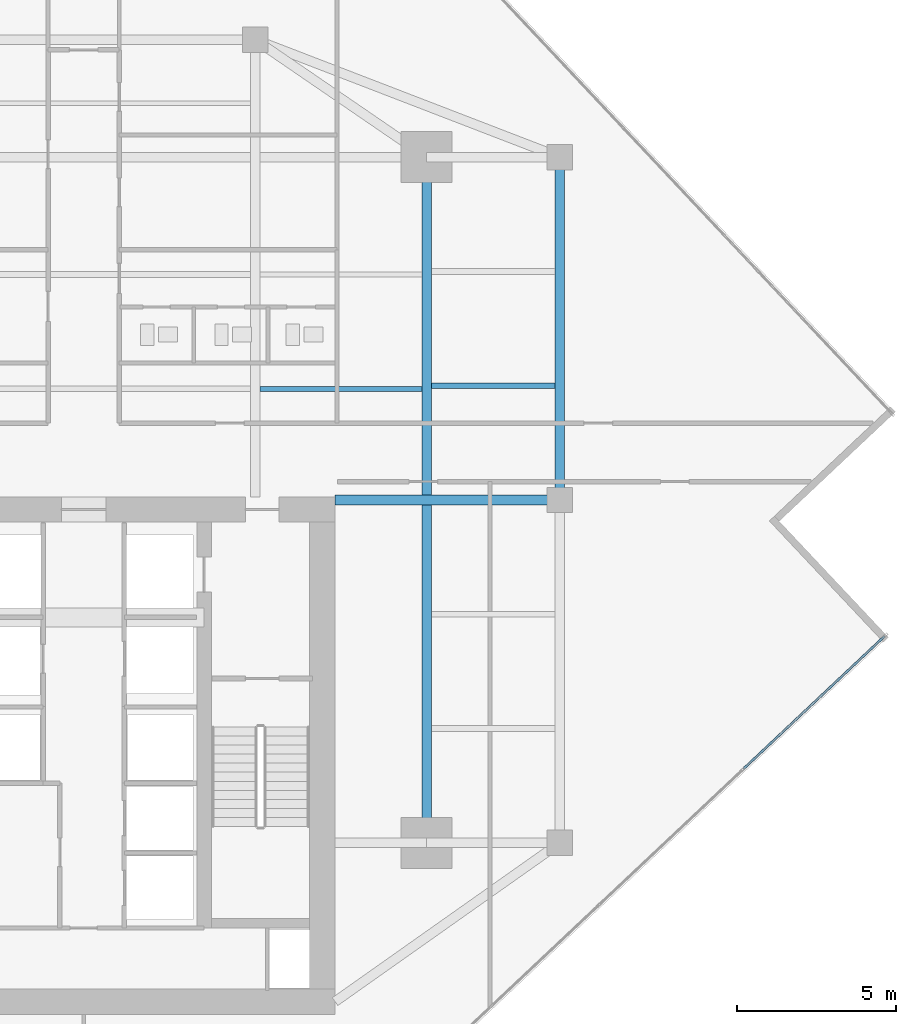
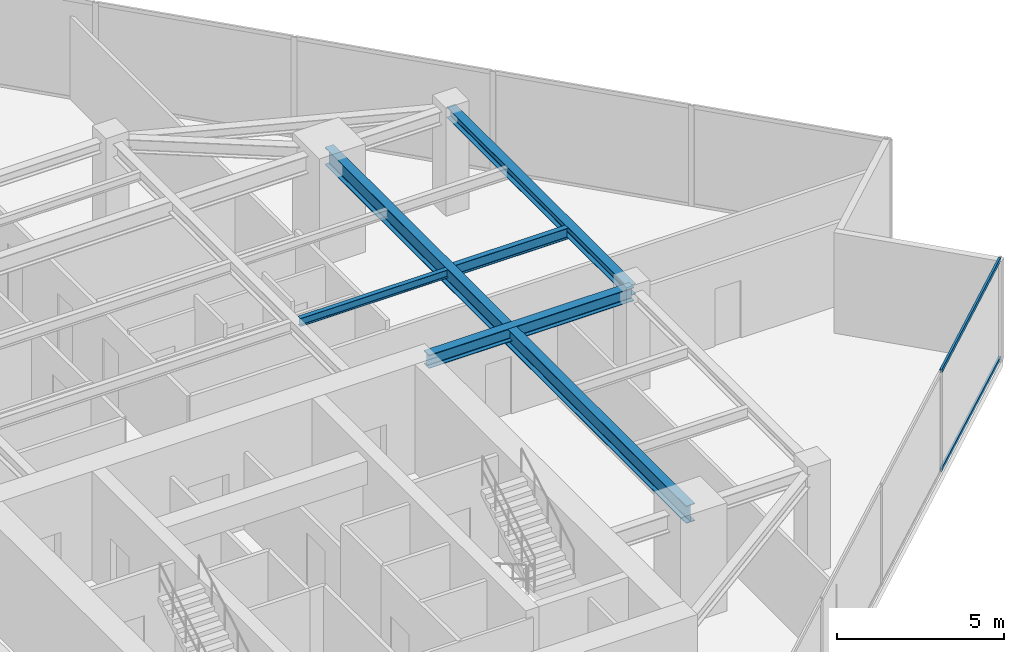
# One storey, part 11 of 24: 5 beams, 2 members, 1 element without a shape of its own.
"""IFC4 building model written with IfcOpenShell, lengths in metres."""

from ifc_helpers import new_model, si_unit, direction, frame, origin, origin_2d, place, context, subcontext, project, spatial, hollow_rectangle, i_section, extrude, source, transform, mapped, material, material_profile, profile_set, type_object, type_shapes, element, aggregate, save


model = new_model("IFC4")

# Units and contexts
model_context = context("Model", 3, precision=1e-05, world=origin(), true_north=direction((0.0, 1.0)))
body_context = subcontext(model_context, "Body", "Model", "MODEL_VIEW")
ifc_project = project(units=[si_unit("LENGTHUNIT", "METRE"), si_unit("AREAUNIT", "SQUARE_METRE"), si_unit("VOLUMEUNIT", "CUBIC_METRE"), si_unit("PLANEANGLEUNIT", "RADIAN"), si_unit("MASSUNIT", "GRAM", prefix="KILO")], contexts=[model_context])

# Site, building, storey
site_placement = place(None, origin())
site = spatial("IfcSite", under=ifc_project, at=site_placement, CompositionType="ELEMENT")
building_placement = place(site_placement, origin())
building = spatial("IfcBuilding", under=site, at=building_placement, Name="Krantzveldt Concourse Tower", CompositionType="ELEMENT")
storey_placement = place(building_placement, frame((0.0, 0.0, 242.85009765625)))
storey = spatial("IfcBuildingStorey", under=building, at=storey_placement, Name="L59", CompositionType="ELEMENT", Elevation=242.85009765625)

# Beams
ifc_material_1 = material(Name="Steel S355JR", Category="steel")
ifc_material_profile_1 = material_profile(ifc_material_1, i_section(OverallWidth=0.300048828125, OverallDepth=0.639892578125, WebThickness=0.013427734375, FlangeThickness=0.02587890625, FilletRadius=0.027099609375, at=origin_2d()), Name="Steel S355JR", Category="steel")
ifc_profile_set_1 = profile_set([ifc_material_profile_1], Name="Steel S355JR - HEA 650")
beam_type_1 = type_object("IfcBeamType", Name="BM-B-HEA650", PredefinedType="BEAM", material=ifc_profile_set_1)
shared_shape_1 = source(origin(), body_context, "Body", "SweptSolid", [
    extrude(i_section(OverallWidth=0.300048828125, OverallDepth=0.639892578125, WebThickness=0.013427734375, FlangeThickness=0.02587890625, FilletRadius=0.027099609375, at=origin_2d()), origin(), (0.0, 0.0, 1.0), 21.60009765625),
])
type_shapes(beam_type_1, [shared_shape_1])
beam_1_placement = place(storey_placement, frame((46.800048828125, 15.89990234375, 3.349853515625), z_axis=(0.0, 1.0, 0.0), x_axis=(-1.0, 0.0, 0.0)))
element("IfcBeam", 1, at=beam_1_placement, inside=storey, type_object=beam_type_1, Name="L59 Tower Girder BG-ME", PredefinedType="BEAM", context=body_context, shape_type="MappedRepresentation", body=[
    mapped(shared_shape_1, transform((0.0, 0.0, 0.0), x_axis=(1.0, 0.0, 0.0), y_axis=(0.0, 1.0, 0.0), z_axis=(0.0, 0.0, 1.0), scale=1.0)),
])
ifc_material_profile_2 = material_profile(ifc_material_1, i_section(OverallWidth=0.300048828125, OverallDepth=0.389892578125, WebThickness=0.010986328125, FlangeThickness=0.01904296875, FilletRadius=0.027099609375, at=origin_2d()), Name="Steel S355JR", Category="steel")
ifc_profile_set_2 = profile_set([ifc_material_profile_2], Name="Steel S355JR - HEA 400")
beam_type_2 = type_object("IfcBeamType", Name="BM-SP-HEA400", PredefinedType="SPANDREL", material=ifc_profile_set_2)
shared_shape_2 = source(origin(), body_context, "Body", "SweptSolid", [
    extrude(i_section(OverallWidth=0.300048828125, OverallDepth=0.389892578125, WebThickness=0.010986328125, FlangeThickness=0.01904296875, FilletRadius=0.027099609375, at=origin_2d()), origin(), (0.0, 0.0, 1.0), 10.800048828125),
])
type_shapes(beam_type_2, [shared_shape_2])
beam_2_placement = place(storey_placement, frame((51.0, 37.5, 3.474853515625), z_axis=(0.0, -1.0, 0.0), x_axis=(1.0, 0.0, 0.0)))
element("IfcBeam", 2, at=beam_2_placement, inside=storey, type_object=beam_type_2, Name="L59 Tower Girder SP-R06", PredefinedType="SPANDREL", context=body_context, shape_type="MappedRepresentation", body=[
    mapped(shared_shape_2, transform((0.0, 0.0, 0.0), x_axis=(1.0, 0.0, 0.0), y_axis=(0.0, 1.0, 0.0), z_axis=(0.0, 0.0, 1.0), scale=1.0)),
])
ifc_material_profile_3 = material_profile(ifc_material_1, i_section(OverallWidth=0.300048828125, OverallDepth=0.489990234375, WebThickness=0.011962890625, FlangeThickness=0.02294921875, FilletRadius=0.027099609375, at=origin_2d()), Name="Steel S355JR", Category="steel")
ifc_profile_set_3 = profile_set([ifc_material_profile_3], Name="Steel S355JR - HEA 500")
beam_type_3 = type_object("IfcBeamType", Name="BM-B-HEA500", PredefinedType="BEAM", material=ifc_profile_set_3)
shared_shape_3 = source(origin(), body_context, "Body", "SweptSolid", [
    extrude(i_section(OverallWidth=0.300048828125, OverallDepth=0.489990234375, WebThickness=0.011962890625, FlangeThickness=0.02294921875, FilletRadius=0.027099609375, at=origin_2d()), origin(), (0.0, 0.0, 1.0), 7.080078125),
])
type_shapes(beam_type_3, [shared_shape_3])
beam_3_placement = place(storey_placement, frame((43.919921875, 26.699951171875, 3.4248046875), z_axis=(1.0, 0.0, 0.0), x_axis=(0.0, 1.0, 0.0)))
element("IfcBeam", 3, at=beam_3_placement, inside=storey, type_object=beam_type_3, Name="L59 Tower Girder BG-CE2", PredefinedType="BEAM", context=body_context, shape_type="MappedRepresentation", body=[
    mapped(shared_shape_3, transform((0.0, 0.0, 0.0), x_axis=(1.0, 0.0, 0.0), y_axis=(0.0, 1.0, 0.0), z_axis=(0.0, 0.0, 1.0), scale=1.0)),
])
ifc_material_profile_4 = material_profile(ifc_material_1, i_section(OverallWidth=0.14990234375, OverallDepth=0.300048828125, WebThickness=0.007080078125, FlangeThickness=0.0107421875, FilletRadius=0.014892578125, at=origin_2d()), Name="Steel S355JR", Category="steel")
ifc_profile_set_4 = profile_set([ifc_material_profile_4], Name="Steel S355JR - IPE 300")
beam_type_4 = type_object("IfcBeamType", Name="BM-J-IPE300", PredefinedType="JOIST", material=ifc_profile_set_4)
shared_shape_4 = source(origin(), body_context, "Body", "SweptSolid", [
    extrude(i_section(OverallWidth=0.14990234375, OverallDepth=0.300048828125, WebThickness=0.007080078125, FlangeThickness=0.0107421875, FilletRadius=0.014892578125, at=origin_2d()), origin(), (0.0, 0.0, 1.0), 5.099853515625),
])
type_shapes(beam_type_4, [shared_shape_4])
beam_4_placement = place(storey_placement, frame((41.550048828125, 30.199951171875, 3.52001953125), z_axis=(1.0, 0.0, 0.0), x_axis=(0.0, 1.0, 0.0)))
element("IfcBeam", 4, at=beam_4_placement, inside=storey, type_object=beam_type_4, Name="L59 Secondary Floor Joist JN-E1", PredefinedType="JOIST", context=body_context, shape_type="MappedRepresentation", body=[
    mapped(shared_shape_4, transform((0.0, 0.0, 0.0), x_axis=(1.0, 0.0, 0.0), y_axis=(0.0, 1.0, 0.0), z_axis=(0.0, 0.0, 1.0), scale=1.0)),
])
ifc_material_profile_5 = material_profile(ifc_material_1, i_section(OverallWidth=0.179931640625, OverallDepth=0.39990234375, WebThickness=0.008544921875, FlangeThickness=0.013427734375, FilletRadius=0.02099609375, at=origin_2d()), Name="Steel S355JR", Category="steel")
ifc_profile_set_5 = profile_set([ifc_material_profile_5], Name="Steel S355JR - IPE 400")
beam_type_5 = type_object("IfcBeamType", Name="BM-J-IPE400", PredefinedType="JOIST", material=ifc_profile_set_5)
shared_shape_5 = source(origin(), body_context, "Body", "SweptSolid", [
    extrude(i_section(OverallWidth=0.179931640625, OverallDepth=0.39990234375, WebThickness=0.008544921875, FlangeThickness=0.013427734375, FilletRadius=0.02099609375, at=origin_2d()), origin(), (0.0, 0.0, 1.0), 3.900146484375),
])
type_shapes(beam_type_5, [shared_shape_5])
beam_5_placement = place(storey_placement, frame((46.949951171875, 30.300048828125, 3.469970703125), z_axis=(1.0, 0.0, 0.0), x_axis=(0.0, 1.0, 0.0)))
element("IfcBeam", 5, at=beam_5_placement, inside=storey, type_object=beam_type_5, Name="L59 Secondary Floor Joist JE-3", PredefinedType="JOIST", context=body_context, shape_type="MappedRepresentation", body=[
    mapped(shared_shape_5, transform((0.0, 0.0, 0.0), x_axis=(1.0, 0.0, 0.0), y_axis=(0.0, 1.0, 0.0), z_axis=(0.0, 0.0, 1.0), scale=1.0)),
])

# Curtain wall, members
ifc_material_2 = material(Name="Anodised aluminium 6063-T6", Category="aluminium")
curtain_wall_type = type_object("IfcCurtainWallType", Name="CW3", PredefinedType="USERDEFINED", material=ifc_material_2)
curtain_wall_placement = place(storey_placement, origin())
curtain_wall = element("IfcCurtainWall", 6, at=curtain_wall_placement, inside=storey, type_object=curtain_wall_type, Name="CW-L59-F11", ObjectType="UNITISED CURTAIN WALL", PredefinedType="USERDEFINED")
ifc_material_profile_6 = material_profile(ifc_material_2, hollow_rectangle(XDim=0.070068359375, YDim=0.139892578125, WallThickness=0.0048828125, at=origin_2d()), Name="Anodised aluminium 6063-T6", Category="aluminium")
ifc_profile_set_6 = profile_set([ifc_material_profile_6], Name="Anodised aluminium 6063-T6 - ALU-TRAN 140x70x5")
member_type = type_object("IfcMemberType", Name="CW-TRN-150", PredefinedType="USERDEFINED", material=ifc_profile_set_6)
shared_shape_6 = source(origin(), body_context, "Body", "SweptSolid", [
    extrude(hollow_rectangle(XDim=0.070068359375, YDim=0.139892578125, WallThickness=0.0048828125, at=origin_2d()), origin(), (0.0, 0.0, 1.0), 6.094970703125),
])
type_shapes(member_type, [shared_shape_6])
member_1_placement = place(storey_placement, frame((56.783935546875, 18.230224609375, 0.034912109375), z_axis=(0.728386944809, 0.685166008082, 0.0), x_axis=(-0.685166008082, 0.728386944809, 0.0)))
member_1 = element("IfcMember", 7, at=member_1_placement, type_object=member_type, Name="CW-Z34 transom 5.1", ObjectType="TRANSOM", PredefinedType="USERDEFINED", context=body_context, shape_type="MappedRepresentation", body=[
    mapped(shared_shape_6, transform((0.0, 0.0, 0.0), x_axis=(1.0, 0.0, 0.0), y_axis=(0.0, 1.0, 0.0), z_axis=(0.0, 0.0, 1.0), scale=1.0)),
])
member_2_placement = place(storey_placement, frame((56.783935546875, 18.230224609375, 3.635009765625), z_axis=(0.728386944809, 0.685166008082, 0.0), x_axis=(-0.685166008082, 0.728386944809, 0.0)))
member_2 = element("IfcMember", 8, at=member_2_placement, type_object=member_type, Name="CW-Z34 transom 5.2", ObjectType="TRANSOM", PredefinedType="USERDEFINED", context=body_context, shape_type="MappedRepresentation", body=[
    mapped(shared_shape_6, transform((0.0, 0.0, 0.0), x_axis=(1.0, 0.0, 0.0), y_axis=(0.0, 1.0, 0.0), z_axis=(0.0, 0.0, 1.0), scale=1.0)),
])
aggregate(curtain_wall, [member_1, member_2])

save(model, "model.ifc")
